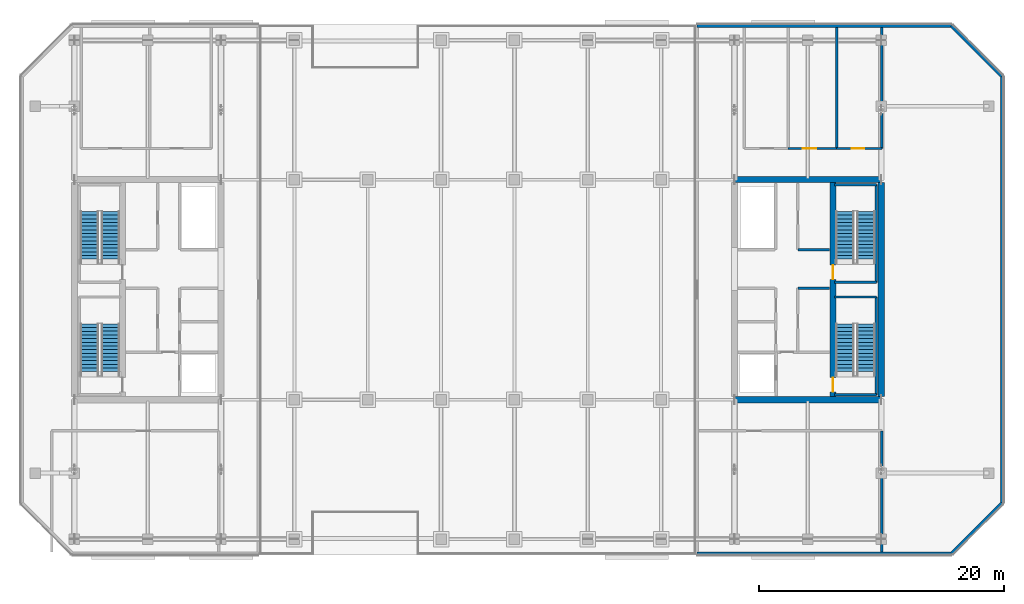
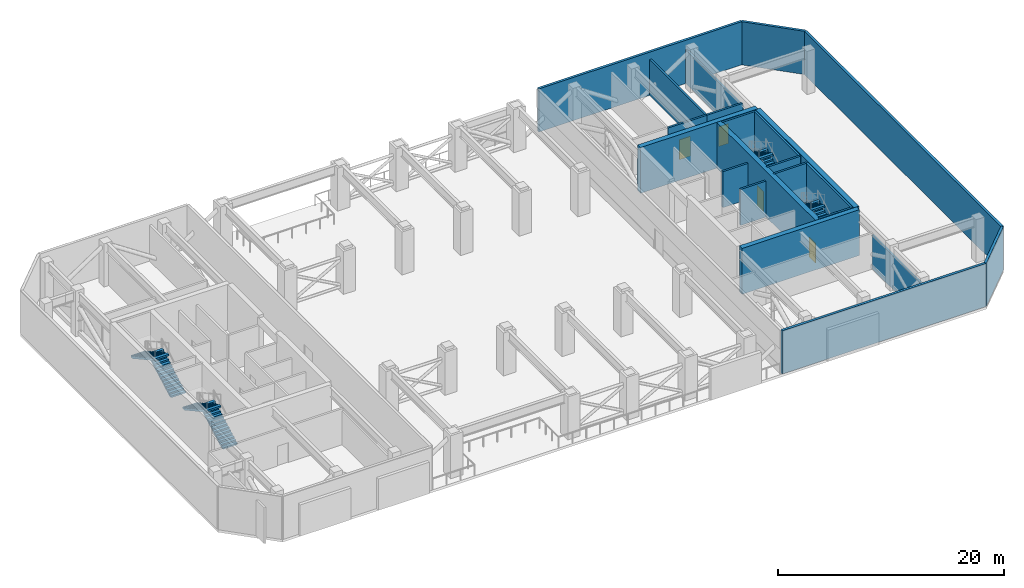
# One storey, part 13 of 18: 22 walls, 8 stair flights, 4 doors, 4 openings, 4 elements without a shape of their own.
"""IFC4 building model written with IfcOpenShell, lengths in metres."""

from ifc_helpers import new_model, si_unit, direction, frame, frame_2d, origin, place, context, subcontext, project, spatial, polyline, rectangle, outline, extrude, material, layer, layer_set, type_object, element, fill, aggregate, save


model = new_model("IFC4")

# Units and contexts
model_context = context("Model", 3, precision=1e-05, world=origin(), true_north=direction((0.0, 1.0)))
body_context = subcontext(model_context, "Body", "Model", "MODEL_VIEW")
ifc_project = project(units=[si_unit("LENGTHUNIT", "METRE"), si_unit("AREAUNIT", "SQUARE_METRE"), si_unit("VOLUMEUNIT", "CUBIC_METRE"), si_unit("PLANEANGLEUNIT", "RADIAN"), si_unit("MASSUNIT", "GRAM", prefix="KILO")], contexts=[model_context])

# Site, building, storey
site_placement = place(None, origin())
site = spatial("IfcSite", under=ifc_project, at=site_placement, CompositionType="ELEMENT")
building_placement = place(site_placement, origin())
building = spatial("IfcBuilding", under=site, at=building_placement, Name="Tanjung Sevakor Pilgrim Tower", CompositionType="ELEMENT")
storey_placement = place(building_placement, frame((0.0, 0.0, 172.919921875)))
storey = spatial("IfcBuildingStorey", under=building, at=storey_placement, Name="L48", CompositionType="ELEMENT", Elevation=172.919921875)

# Walls
ifc_material_1 = material(Name="Concrete C60/75", Category="concrete")
ifc_layer_1 = layer(ifc_material_1, 0.5)
ifc_layer_set_1 = layer_set([ifc_layer_1], Name="WALL-CW-500")
wall_type_1 = type_object("IfcWallType", Name="WALL-CW-500", PredefinedType="SHEAR", material=ifc_layer_set_1)
for number, where, z_axis, x_axis, name in (
    (1, (78.0, 24.60009765625, 0.0), (0.0, 0.0, 1.0), (1.0, 0.0, 0.0), "L48 E Core South Shear Wall"),
    (2, (90.0, 42.60009765625, 0.0), (0.0, 0.0, 1.0), (-1.0, 0.0, 0.0), "L48 E Core North Shear Wall"),
):
    element("IfcWall", number, at=place(storey_placement, frame(where, z_axis=z_axis, x_axis=x_axis)), inside=storey, type_object=wall_type_1, Name=name, PredefinedType="SHEAR", context=body_context, shape_type="SweptSolid", body=[
        extrude(rectangle(XDim=12.0, YDim=0.5, at=frame_2d((6.0, 0.0))), origin(), (0.0, 0.0, 1.0), 4.9501953125),
    ])
wall_1_placement = place(storey_placement, frame((90.0, 24.85009765625, 0.0), z_axis=(0.0, 0.0, 1.0), x_axis=(0.0, 1.0, 0.0)))
element("IfcWall", 3, at=wall_1_placement, inside=storey, type_object=wall_type_1, Name="L48 E Core Outer Shear Wall", PredefinedType="SHEAR", context=body_context, shape_type="SweptSolid", body=[
    extrude(rectangle(XDim=17.5, YDim=0.5, at=frame_2d((8.75, 0.0))), origin(), (0.0, 0.0, 1.0), 4.9501953125),
])

# Wall, openings, doors
wall_2_placement = place(storey_placement, frame((86.050048828125, 24.85009765625, 0.0), z_axis=(0.0, 0.0, 1.0), x_axis=(0.0, 1.0, 0.0)))
wall_2 = element("IfcWall", 4, at=wall_2_placement, inside=storey, type_object=wall_type_1, Name="L48 E Core Stair Spine Wall", PredefinedType="SHEAR", context=body_context, shape_type="SweptSolid", body=[
    extrude(rectangle(XDim=17.5, YDim=0.5, at=frame_2d((8.75, 0.0))), origin(), (0.0, 0.0, 1.0), 4.9501953125),
])
opening_1_placement = place(wall_2_placement, frame((0.39990234375, 0.0, 0.0)))
opening_1 = element("IfcOpeningElement", 5, at=opening_1_placement, cuts=wall_2, Name="Opening ID-ST1", PredefinedType="OPENING", context=body_context, shape_type="SweptSolid", body=[
    extrude(rectangle(XDim=1.14990234375, YDim=2.14990234375, at=frame_2d((0.574951171875, 1.074951171875))), frame((0.0, 0.260009765625, 0.0), z_axis=(0.0, -1.0, 0.0), x_axis=(1.0, 0.0, 0.0)), (0.0, 0.0, 1.0), 0.52001953125),
])
opening_2_placement = place(wall_2_placement, frame((9.60009765625, 0.0, 0.0)))
opening_2 = element("IfcOpeningElement", 6, at=opening_2_placement, cuts=wall_2, Name="Opening ID-ST1", PredefinedType="OPENING", context=body_context, shape_type="SweptSolid", body=[
    extrude(rectangle(XDim=1.14990234375, YDim=2.14990234375, at=frame_2d((0.574951171875, 1.074951171875))), frame((0.0, 0.260009765625, 0.0), z_axis=(0.0, -1.0, 0.0), x_axis=(1.0, 0.0, 0.0)), (0.0, 0.0, 1.0), 0.52001953125),
])
ifc_material_2 = material(Name="Fire-Rated Steel S355J2", Category="steel")
door_type_1 = type_object("IfcDoorType", Name="DT-FIRE-1150", OperationType="NOTDEFINED", PredefinedType="DOOR", material=ifc_material_2)
door_1_placement = place(opening_1_placement, origin())
door_1 = element("IfcDoor", 7, at=door_1_placement, inside=storey, type_object=door_type_1, Name="L48 TS-E1 Stair Fire Door", OperationType="SINGLE_SWING_LEFT", OverallHeight=2.14990234375, OverallWidth=1.14990234375, PredefinedType="DOOR", context=body_context, shape_type="SweptSolid", body=[
    extrude(rectangle(XDim=1.14990234375, YDim=2.14990234375, at=frame_2d((0.574951171875, 1.074951171875))), frame((0.0, 0.02490234375, 0.0), z_axis=(0.0, -1.0, 0.0), x_axis=(1.0, 0.0, 0.0)), (0.0, 0.0, 1.0), 0.050048828125),
])
fill(opening_1, door_1)
door_2_placement = place(opening_2_placement, origin())
door_2 = element("IfcDoor", 8, at=door_2_placement, inside=storey, type_object=door_type_1, Name="L48 TS-E2 Stair Fire Door", OperationType="SINGLE_SWING_RIGHT", OverallHeight=2.14990234375, OverallWidth=1.14990234375, PredefinedType="DOOR", context=body_context, shape_type="SweptSolid", body=[
    extrude(rectangle(XDim=1.14990234375, YDim=2.14990234375, at=frame_2d((0.574951171875, 1.074951171875))), frame((0.0, 0.02490234375, 0.0), z_axis=(0.0, -1.0, 0.0), x_axis=(1.0, 0.0, 0.0)), (0.0, 0.0, 1.0), 0.050048828125),
])
fill(opening_2, door_2)

# Walls
ifc_material_3 = material(Name="Precast concrete C45/55", Category="concrete")
ifc_layer_2 = layer(ifc_material_3, 0.25)
ifc_layer_set_2 = layer_set([ifc_layer_2], Name="WT-EW-STN3")
wall_type_2 = type_object("IfcWallType", Name="WT-EW-STN3", PredefinedType="SOLIDWALL", material=ifc_layer_set_2)
wall_3_placement = place(storey_placement, frame((74.925048828125, 12.02490234375, 0.0), z_axis=(0.0, 0.0, 1.0), x_axis=(1.0, 0.0, 0.0)))
element("IfcWall", 9, at=wall_3_placement, inside=storey, type_object=wall_type_2, Name="L48 East Refuge Wing Wall 1", PredefinedType="SOLIDWALL", context=body_context, shape_type="SweptSolid", body=[
    extrude(rectangle(XDim=20.8232421875, YDim=0.25, at=frame_2d((10.41162109375, 0.0))), origin(), (0.0, 0.0, 1.0), 4.669921875),
])
wall_4_placement = place(storey_placement, frame((95.748291015625, 12.02490234375, 0.0), z_axis=(0.0, 0.0, 1.0), x_axis=(0.70708586489, 0.707127696864, 0.0)))
element("IfcWall", 10, at=wall_4_placement, inside=storey, type_object=wall_type_2, Name="L48 East Refuge Wing Wall 2", PredefinedType="SOLIDWALL", context=body_context, shape_type="SweptSolid", body=[
    extrude(rectangle(XDim=5.836181640625, YDim=0.25, at=frame_2d((2.91796875, 0.0))), origin(), (0.0, 0.0, 1.0), 4.669921875),
])
wall_5_placement = place(storey_placement, frame((99.875, 16.15185546875, 0.0), z_axis=(0.0, 0.0, 1.0), x_axis=(0.0, 1.0, 0.0)))
element("IfcWall", 11, at=wall_5_placement, inside=storey, type_object=wall_type_2, Name="L48 East Refuge Wing Wall 3", PredefinedType="SOLIDWALL", context=body_context, shape_type="SweptSolid", body=[
    extrude(rectangle(XDim=34.896240234375, YDim=0.25, at=frame_2d((17.4482421875, 0.0))), origin(), (0.0, 0.0, 1.0), 4.669921875),
])
wall_6_placement = place(storey_placement, frame((99.875, 51.048095703125, 0.0), z_axis=(0.0, 0.0, 1.0), x_axis=(-0.70708586489, 0.707127696864, 0.0)))
element("IfcWall", 12, at=wall_6_placement, inside=storey, type_object=wall_type_2, Name="L48 East Refuge Wing Wall 4", PredefinedType="SOLIDWALL", context=body_context, shape_type="SweptSolid", body=[
    extrude(rectangle(XDim=5.836181640625, YDim=0.25, at=frame_2d((2.91796875, 0.0))), origin(), (0.0, 0.0, 1.0), 4.669921875),
])
wall_7_placement = place(storey_placement, frame((95.748291015625, 55.175048828125, 0.0), z_axis=(0.0, 0.0, 1.0), x_axis=(-1.0, 0.0, 0.0)))
element("IfcWall", 13, at=wall_7_placement, inside=storey, type_object=wall_type_2, Name="L48 East Refuge Wing Wall 5", PredefinedType="SOLIDWALL", context=body_context, shape_type="SweptSolid", body=[
    extrude(rectangle(XDim=20.8232421875, YDim=0.25, at=frame_2d((10.41162109375, 0.0))), origin(), (0.0, 0.0, 1.0), 4.669921875),
])
ifc_material_4 = material(Name="Concrete C40/50", Category="concrete")
ifc_layer_3 = layer(ifc_material_4, 0.199951171875)
ifc_layer_set_3 = layer_set([ifc_layer_3], Name="WT-FIRE-200")
wall_type_3 = type_object("IfcWallType", Name="WT-FIRE-200", PredefinedType="SOLIDWALL", material=ifc_layer_set_3)
wall_8_placement = place(storey_placement, frame((86.199951171875, 25.0, 0.0), z_axis=(0.0, 0.0, 1.0), x_axis=(1.0, 0.0, 0.0)))
element("IfcWall", 14, at=wall_8_placement, inside=storey, type_object=wall_type_3, Name="L48 TS-E1 Shaft Wall 1", PredefinedType="SOLIDWALL", context=body_context, shape_type="SweptSolid", body=[
    extrude(rectangle(XDim=3.400146484375, YDim=0.199951171875, at=frame_2d((1.7001953125, 0.0))), origin(), (0.0, 0.0, 1.0), 4.9501953125),
])
wall_9_placement = place(storey_placement, frame((89.60009765625, 25.0, 0.0), z_axis=(0.0, 0.0, 1.0), x_axis=(0.0, 1.0, 0.0)))
element("IfcWall", 15, at=wall_9_placement, inside=storey, type_object=wall_type_3, Name="L48 TS-E1 Shaft Wall 2", PredefinedType="SOLIDWALL", context=body_context, shape_type="SweptSolid", body=[
    extrude(rectangle(XDim=8.0, YDim=0.199951171875, at=frame_2d((4.0, 0.0))), origin(), (0.0, 0.0, 1.0), 4.9501953125),
])
for number, where, z_axis, x_axis, name in (
    (16, (89.60009765625, 33.0, 0.0), (0.0, 0.0, 1.0), (-1.0, 0.0, 0.0), "L48 TS-E1 Shaft Wall 3"),
    (17, (86.199951171875, 34.199951171875, 0.0), (0.0, 0.0, 1.0), (1.0, 0.0, 0.0), "L48 TS-E2 Shaft Wall 1"),
):
    element("IfcWall", number, at=place(storey_placement, frame(where, z_axis=z_axis, x_axis=x_axis)), inside=storey, type_object=wall_type_3, Name=name, PredefinedType="SOLIDWALL", context=body_context, shape_type="SweptSolid", body=[
        extrude(rectangle(XDim=3.400146484375, YDim=0.199951171875, at=frame_2d((1.7001953125, 0.0))), origin(), (0.0, 0.0, 1.0), 4.9501953125),
    ])
wall_10_placement = place(storey_placement, frame((89.60009765625, 34.199951171875, 0.0), z_axis=(0.0, 0.0, 1.0), x_axis=(0.0, 1.0, 0.0)))
element("IfcWall", 18, at=wall_10_placement, inside=storey, type_object=wall_type_3, Name="L48 TS-E2 Shaft Wall 2", PredefinedType="SOLIDWALL", context=body_context, shape_type="SweptSolid", body=[
    extrude(rectangle(XDim=8.0, YDim=0.199951171875, at=frame_2d((4.0, 0.0))), origin(), (0.0, 0.0, 1.0), 4.9501953125),
])
wall_11_placement = place(storey_placement, frame((89.60009765625, 42.199951171875, 0.0), z_axis=(0.0, 0.0, 1.0), x_axis=(-1.0, 0.0, 0.0)))
element("IfcWall", 19, at=wall_11_placement, inside=storey, type_object=wall_type_3, Name="L48 TS-E2 Shaft Wall 3", PredefinedType="SOLIDWALL", context=body_context, shape_type="SweptSolid", body=[
    extrude(rectangle(XDim=3.400146484375, YDim=0.199951171875, at=frame_2d((1.7001953125, 0.0))), origin(), (0.0, 0.0, 1.0), 4.9501953125),
])
ifc_material_5 = material(Name="Concrete C40/50", Category="concrete")
ifc_layer_4 = layer(ifc_material_5, 0.199951171875)
ifc_layer_set_4 = layer_set([ifc_layer_4], Name="WT-FPRT-200")
wall_type_4 = type_object("IfcWallType", Name="WT-FPRT-200", PredefinedType="SOLIDWALL", material=ifc_layer_set_4)
for number, where, z_axis, x_axis, name in (
    (20, (83.199951171875, 33.719970703125, 0.0), (0.0, 0.0, 1.0), (1.0, 0.0, 0.0), "L48 Partition IW-L48-014"),
    (21, (83.199951171875, 36.8798828125, 0.0), (0.0, 0.0, 1.0), (1.0, 0.0, 0.0), "L48 Partition IW-L48-019"),
):
    element("IfcWall", number, at=place(storey_placement, frame(where, z_axis=z_axis, x_axis=x_axis)), inside=storey, type_object=wall_type_4, Name=name, PredefinedType="SOLIDWALL", context=body_context, shape_type="SweptSolid", body=[
        extrude(rectangle(XDim=2.580078125, YDim=0.199951171875, at=frame_2d((1.2900390625, 0.0))), origin(), (0.0, 0.0, 1.0), 3.889892578125),
    ])
wall_12_placement = place(storey_placement, frame((90.050048828125, 12.14990234375, 0.0), z_axis=(0.0, 0.0, 1.0), x_axis=(0.0, 1.0, 0.0)))
element("IfcWall", 22, at=wall_12_placement, inside=storey, type_object=wall_type_4, Name="L48 Partition IW-L48-032", PredefinedType="SOLIDWALL", context=body_context, shape_type="SweptSolid", body=[
    extrude(rectangle(XDim=9.900146484375, YDim=0.199951171875, at=frame_2d((4.9501953125, 0.0))), origin(), (0.0, 0.0, 1.0), 3.64697265625),
])

# Wall, opening, door
wall_13_placement = place(storey_placement, frame((82.389892578125, 45.14990234375, 0.0), z_axis=(0.0, 0.0, 1.0), x_axis=(1.0, 0.0, 0.0)))
wall_13 = element("IfcWall", 23, at=wall_13_placement, inside=storey, type_object=wall_type_4, Name="L48 Partition IW-L48-036", PredefinedType="SOLIDWALL", context=body_context, shape_type="SweptSolid", body=[
    extrude(rectangle(XDim=3.960205078125, YDim=0.199951171875, at=frame_2d((1.97998046875, 0.0))), origin(), (0.0, 0.0, 1.0), 3.889892578125),
])
opening_3_placement = place(wall_13_placement, frame((1.199951171875, 0.0, 0.0)))
opening_3 = element("IfcOpeningElement", 24, at=opening_3_placement, cuts=wall_13, Name="Opening ID-FD0", PredefinedType="OPENING", context=body_context, shape_type="SweptSolid", body=[
    extrude(rectangle(XDim=1.10009765625, YDim=2.14990234375, at=frame_2d((0.550048828125, 1.074951171875))), frame((0.0, 0.10986328125, 0.0), z_axis=(0.0, -1.0, 0.0), x_axis=(1.0, 0.0, 0.0)), (0.0, 0.0, 1.0), 0.219970703125),
])
ifc_material_6 = material(Name="Fire-Rated Steel S355J2", Category="steel")
door_type_2 = type_object("IfcDoorType", Name="DT-FIRE-1100", OperationType="NOTDEFINED", PredefinedType="DOOR", material=ifc_material_6)
door_3_placement = place(opening_3_placement, origin())
door_3 = element("IfcDoor", 25, at=door_3_placement, inside=storey, type_object=door_type_2, Name="L48 Chiller Plant Door", OperationType="SINGLE_SWING_LEFT", OverallHeight=2.14990234375, OverallWidth=1.10009765625, PredefinedType="DOOR", context=body_context, shape_type="SweptSolid", body=[
    extrude(rectangle(XDim=1.10009765625, YDim=2.14990234375, at=frame_2d((0.550048828125, 1.074951171875))), frame((0.0, 0.02490234375, 0.0), z_axis=(0.0, -1.0, 0.0), x_axis=(1.0, 0.0, 0.0)), (0.0, 0.0, 1.0), 0.050048828125),
])
fill(opening_3, door_3)

# Wall
wall_14_placement = place(storey_placement, frame((86.35009765625, 45.14990234375, 0.0), z_axis=(0.0, 0.0, 1.0), x_axis=(0.0, 1.0, 0.0)))
element("IfcWall", 26, at=wall_14_placement, inside=storey, type_object=wall_type_4, Name="L48 Partition IW-L48-037", PredefinedType="SOLIDWALL", context=body_context, shape_type="SweptSolid", body=[
    extrude(rectangle(XDim=9.900146484375, YDim=0.199951171875, at=frame_2d((4.9501953125, 0.0))), origin(), (0.0, 0.0, 1.0), 3.889892578125),
])

# Wall, opening, door
wall_15_placement = place(storey_placement, frame((86.35009765625, 45.14990234375, 0.0), z_axis=(0.0, 0.0, 1.0), x_axis=(1.0, 0.0, 0.0)))
wall_15 = element("IfcWall", 27, at=wall_15_placement, inside=storey, type_object=wall_type_4, Name="L48 Partition IW-L48-038", PredefinedType="SOLIDWALL", context=body_context, shape_type="SweptSolid", body=[
    extrude(rectangle(XDim=3.699951171875, YDim=0.199951171875, at=frame_2d((1.85009765625, 0.0))), origin(), (0.0, 0.0, 1.0), 3.889892578125),
])
opening_4_placement = place(wall_15_placement, frame((1.25, 0.0, 0.0)))
opening_4 = element("IfcOpeningElement", 28, at=opening_4_placement, cuts=wall_15, Name="Opening ID-FD1", PredefinedType="OPENING", context=body_context, shape_type="SweptSolid", body=[
    extrude(rectangle(XDim=1.0, YDim=2.14990234375, at=frame_2d((0.5, 1.074951171875))), frame((0.0, 0.10986328125, 0.0), z_axis=(0.0, -1.0, 0.0), x_axis=(1.0, 0.0, 0.0)), (0.0, 0.0, 1.0), 0.219970703125),
])
ifc_material_7 = material(Name="Fire-Rated Steel S355J2", Category="steel")
door_type_3 = type_object("IfcDoorType", Name="DT-FIRE-1000", OperationType="NOTDEFINED", PredefinedType="DOOR", material=ifc_material_7)
door_4_placement = place(opening_4_placement, origin())
door_4 = element("IfcDoor", 29, at=door_4_placement, inside=storey, type_object=door_type_3, Name="L48 East Mechanical Plant Door", OperationType="SINGLE_SWING_RIGHT", OverallHeight=2.14990234375, OverallWidth=1.0, PredefinedType="DOOR", context=body_context, shape_type="SweptSolid", body=[
    extrude(rectangle(XDim=1.0, YDim=2.14990234375, at=frame_2d((0.5, 1.074951171875))), frame((0.0, 0.02490234375, 0.0), z_axis=(0.0, -1.0, 0.0), x_axis=(1.0, 0.0, 0.0)), (0.0, 0.0, 1.0), 0.050048828125),
])
fill(opening_4, door_4)

# Wall
wall_16_placement = place(storey_placement, frame((90.050048828125, 45.14990234375, 0.0), z_axis=(0.0, 0.0, 1.0), x_axis=(0.0, 1.0, 0.0)))
element("IfcWall", 30, at=wall_16_placement, inside=storey, type_object=wall_type_4, Name="L48 Partition IW-L48-039", PredefinedType="SOLIDWALL", context=body_context, shape_type="SweptSolid", body=[
    extrude(rectangle(XDim=9.900146484375, YDim=0.199951171875, at=frame_2d((4.9501953125, 0.0))), origin(), (0.0, 0.0, 1.0), 3.64697265625),
])

# Stair, stair flights
ifc_material_8 = material(Name="Concrete C40/50", Category="concrete")
stair_type = type_object("IfcStairType", Name="STAIR-ST-CR150", PredefinedType="HALF_TURN_STAIR", material=ifc_material_8)
stair_1_placement = place(storey_placement, origin())
stair_1 = element("IfcStair", 31, at=stair_1_placement, inside=storey, type_object=stair_type, Name="L48 West Core Exit Stair 1", PredefinedType="HALF_TURN_STAIR")
ifc_material_9 = material(Name="Concrete C40/50", Category="concrete")
stair_flight_type = type_object("IfcStairFlightType", Name="FLIGHT-ST-CR150", PredefinedType="STRAIGHT", material=ifc_material_9)
stair_flight_1_placement = place(storey_placement, frame((26.949951171875, 26.60009765625, 0.0), z_axis=(0.0, 0.0, 1.0), x_axis=(0.0, 1.0, 0.0)))
stair_flight_1 = element("IfcStairFlight", 32, at=stair_flight_1_placement, type_object=stair_flight_type, Name="TS-W1 flight 1", NumberOfRisers=15, NumberOfTreads=14, PredefinedType="STRAIGHT", RiserHeight=0.165, TreadLength=0.3, context=body_context, shape_type="SweptSolid", body=[
    extrude(outline(polyline([(0.0, 0.0), (0.0, 0.1650390625), (0.300048828125, 0.1650390625), (0.300048828125, 0.330078125), (0.60009765625, 0.330078125), (0.60009765625, 0.4951171875), (0.89990234375, 0.4951171875), (0.89990234375, 0.659912109375), (1.199951171875, 0.659912109375), (1.199951171875, 0.824951171875), (1.5, 0.824951171875), (1.5, 0.989990234375), (1.800048828125, 0.989990234375), (1.800048828125, 1.155029296875), (2.10009765625, 1.155029296875), (2.10009765625, 1.320068359375), (2.39990234375, 1.320068359375), (2.39990234375, 1.485107421875), (2.699951171875, 1.485107421875), (2.699951171875, 1.64990234375), (3.0, 1.64990234375), (3.0, 1.81494140625), (3.300048828125, 1.81494140625), (3.300048828125, 1.97998046875), (3.60009765625, 1.97998046875), (3.60009765625, 2.14501953125), (3.89990234375, 2.14501953125), (3.89990234375, 2.31005859375), (4.199951171875, 2.31005859375), (4.199951171875, 2.47509765625), (4.199951171875, 2.12744140625), (0.331787109375, 0.0), (0.0, 0.0)])), frame((0.0, 0.75, 0.0), z_axis=(0.0, -1.0, 0.0), x_axis=(1.0, 0.0, 0.0)), (0.0, 0.0, 1.0), 1.5),
])
stair_flight_2_placement = place(storey_placement, frame((25.25, 30.800048828125, 2.47509765625), z_axis=(0.0, 0.0, 1.0), x_axis=(0.0, -1.0, 0.0)))
stair_flight_2 = element("IfcStairFlight", 33, at=stair_flight_2_placement, type_object=stair_flight_type, Name="TS-W1 flight 2", NumberOfRisers=15, NumberOfTreads=14, PredefinedType="STRAIGHT", RiserHeight=0.165, TreadLength=0.3, context=body_context, shape_type="SweptSolid", body=[
    extrude(outline(polyline([(0.0, 0.0), (0.0, 0.1650390625), (0.300048828125, 0.1650390625), (0.300048828125, 0.330078125), (0.60009765625, 0.330078125), (0.60009765625, 0.4951171875), (0.89990234375, 0.4951171875), (0.89990234375, 0.659912109375), (1.199951171875, 0.659912109375), (1.199951171875, 0.824951171875), (1.5, 0.824951171875), (1.5, 0.989990234375), (1.800048828125, 0.989990234375), (1.800048828125, 1.155029296875), (2.10009765625, 1.155029296875), (2.10009765625, 1.320068359375), (2.39990234375, 1.320068359375), (2.39990234375, 1.485107421875), (2.699951171875, 1.485107421875), (2.699951171875, 1.64990234375), (3.0, 1.64990234375), (3.0, 1.81494140625), (3.300048828125, 1.81494140625), (3.300048828125, 1.97998046875), (3.60009765625, 1.97998046875), (3.60009765625, 2.14501953125), (3.89990234375, 2.14501953125), (3.89990234375, 2.31005859375), (4.199951171875, 2.31005859375), (4.199951171875, 2.47509765625), (4.199951171875, 2.12744140625), (0.331787109375, 0.0), (0.0, 0.0)])), frame((0.0, 0.75, 0.0), z_axis=(0.0, -1.0, 0.0), x_axis=(1.0, 0.0, 0.0)), (0.0, 0.0, 1.0), 1.5),
])
aggregate(stair_1, [stair_flight_1, stair_flight_2])

stair_2_placement = place(storey_placement, origin())
stair_2 = element("IfcStair", 34, at=stair_2_placement, inside=storey, type_object=stair_type, Name="L48 West Core Exit Stair 2", PredefinedType="HALF_TURN_STAIR")
stair_flight_3_placement = place(storey_placement, frame((26.949951171875, 35.800048828125, 0.0), z_axis=(0.0, 0.0, 1.0), x_axis=(0.0, 1.0, 0.0)))
stair_flight_3 = element("IfcStairFlight", 35, at=stair_flight_3_placement, type_object=stair_flight_type, Name="TS-W2 flight 1", NumberOfRisers=15, NumberOfTreads=14, PredefinedType="STRAIGHT", RiserHeight=0.165, TreadLength=0.3, context=body_context, shape_type="SweptSolid", body=[
    extrude(outline(polyline([(0.0, 0.0), (0.0, 0.1650390625), (0.300048828125, 0.1650390625), (0.300048828125, 0.330078125), (0.60009765625, 0.330078125), (0.60009765625, 0.4951171875), (0.89990234375, 0.4951171875), (0.89990234375, 0.659912109375), (1.199951171875, 0.659912109375), (1.199951171875, 0.824951171875), (1.5, 0.824951171875), (1.5, 0.989990234375), (1.800048828125, 0.989990234375), (1.800048828125, 1.155029296875), (2.10009765625, 1.155029296875), (2.10009765625, 1.320068359375), (2.39990234375, 1.320068359375), (2.39990234375, 1.485107421875), (2.699951171875, 1.485107421875), (2.699951171875, 1.64990234375), (3.0, 1.64990234375), (3.0, 1.81494140625), (3.300048828125, 1.81494140625), (3.300048828125, 1.97998046875), (3.60009765625, 1.97998046875), (3.60009765625, 2.14501953125), (3.89990234375, 2.14501953125), (3.89990234375, 2.31005859375), (4.199951171875, 2.31005859375), (4.199951171875, 2.47509765625), (4.199951171875, 2.12744140625), (0.331787109375, 0.0), (0.0, 0.0)])), frame((0.0, 0.75, 0.0), z_axis=(0.0, -1.0, 0.0), x_axis=(1.0, 0.0, 0.0)), (0.0, 0.0, 1.0), 1.5),
])
stair_flight_4_placement = place(storey_placement, frame((25.25, 40.0, 2.47509765625), z_axis=(0.0, 0.0, 1.0), x_axis=(0.0, -1.0, 0.0)))
stair_flight_4 = element("IfcStairFlight", 36, at=stair_flight_4_placement, type_object=stair_flight_type, Name="TS-W2 flight 2", NumberOfRisers=15, NumberOfTreads=14, PredefinedType="STRAIGHT", RiserHeight=0.165, TreadLength=0.3, context=body_context, shape_type="SweptSolid", body=[
    extrude(outline(polyline([(0.0, 0.0), (0.0, 0.1650390625), (0.300048828125, 0.1650390625), (0.300048828125, 0.330078125), (0.60009765625, 0.330078125), (0.60009765625, 0.4951171875), (0.89990234375, 0.4951171875), (0.89990234375, 0.659912109375), (1.199951171875, 0.659912109375), (1.199951171875, 0.824951171875), (1.5, 0.824951171875), (1.5, 0.989990234375), (1.800048828125, 0.989990234375), (1.800048828125, 1.155029296875), (2.10009765625, 1.155029296875), (2.10009765625, 1.320068359375), (2.39990234375, 1.320068359375), (2.39990234375, 1.485107421875), (2.699951171875, 1.485107421875), (2.699951171875, 1.64990234375), (3.0, 1.64990234375), (3.0, 1.81494140625), (3.300048828125, 1.81494140625), (3.300048828125, 1.97998046875), (3.60009765625, 1.97998046875), (3.60009765625, 2.14501953125), (3.89990234375, 2.14501953125), (3.89990234375, 2.31005859375), (4.199951171875, 2.31005859375), (4.199951171875, 2.47509765625), (4.199951171875, 2.12744140625), (0.331787109375, 0.0), (0.0, 0.0)])), frame((0.0, 0.75, 0.0), z_axis=(0.0, -1.0, 0.0), x_axis=(1.0, 0.0, 0.0)), (0.0, 0.0, 1.0), 1.5),
])
aggregate(stair_2, [stair_flight_3, stair_flight_4])

stair_3_placement = place(storey_placement, origin())
stair_3 = element("IfcStair", 37, at=stair_3_placement, inside=storey, type_object=stair_type, Name="L48 East Core Exit Stair 1", PredefinedType="HALF_TURN_STAIR")
stair_flight_5_placement = place(storey_placement, frame((88.75, 26.60009765625, 0.0), z_axis=(0.0, 0.0, 1.0), x_axis=(0.0, 1.0, 0.0)))
stair_flight_5 = element("IfcStairFlight", 38, at=stair_flight_5_placement, type_object=stair_flight_type, Name="TS-E1 flight 1", NumberOfRisers=15, NumberOfTreads=14, PredefinedType="STRAIGHT", RiserHeight=0.165, TreadLength=0.3, context=body_context, shape_type="SweptSolid", body=[
    extrude(outline(polyline([(0.0, 0.0), (0.0, 0.1650390625), (0.300048828125, 0.1650390625), (0.300048828125, 0.330078125), (0.60009765625, 0.330078125), (0.60009765625, 0.4951171875), (0.89990234375, 0.4951171875), (0.89990234375, 0.659912109375), (1.199951171875, 0.659912109375), (1.199951171875, 0.824951171875), (1.5, 0.824951171875), (1.5, 0.989990234375), (1.800048828125, 0.989990234375), (1.800048828125, 1.155029296875), (2.10009765625, 1.155029296875), (2.10009765625, 1.320068359375), (2.39990234375, 1.320068359375), (2.39990234375, 1.485107421875), (2.699951171875, 1.485107421875), (2.699951171875, 1.64990234375), (3.0, 1.64990234375), (3.0, 1.81494140625), (3.300048828125, 1.81494140625), (3.300048828125, 1.97998046875), (3.60009765625, 1.97998046875), (3.60009765625, 2.14501953125), (3.89990234375, 2.14501953125), (3.89990234375, 2.31005859375), (4.199951171875, 2.31005859375), (4.199951171875, 2.47509765625), (4.199951171875, 2.12744140625), (0.331787109375, 0.0), (0.0, 0.0)])), frame((0.0, 0.75, 0.0), z_axis=(0.0, -1.0, 0.0), x_axis=(1.0, 0.0, 0.0)), (0.0, 0.0, 1.0), 1.5),
])
stair_flight_6_placement = place(storey_placement, frame((87.050048828125, 30.800048828125, 2.47509765625), z_axis=(0.0, 0.0, 1.0), x_axis=(0.0, -1.0, 0.0)))
stair_flight_6 = element("IfcStairFlight", 39, at=stair_flight_6_placement, type_object=stair_flight_type, Name="TS-E1 flight 2", NumberOfRisers=15, NumberOfTreads=14, PredefinedType="STRAIGHT", RiserHeight=0.165, TreadLength=0.3, context=body_context, shape_type="SweptSolid", body=[
    extrude(outline(polyline([(0.0, 0.0), (0.0, 0.1650390625), (0.300048828125, 0.1650390625), (0.300048828125, 0.330078125), (0.60009765625, 0.330078125), (0.60009765625, 0.4951171875), (0.89990234375, 0.4951171875), (0.89990234375, 0.659912109375), (1.199951171875, 0.659912109375), (1.199951171875, 0.824951171875), (1.5, 0.824951171875), (1.5, 0.989990234375), (1.800048828125, 0.989990234375), (1.800048828125, 1.155029296875), (2.10009765625, 1.155029296875), (2.10009765625, 1.320068359375), (2.39990234375, 1.320068359375), (2.39990234375, 1.485107421875), (2.699951171875, 1.485107421875), (2.699951171875, 1.64990234375), (3.0, 1.64990234375), (3.0, 1.81494140625), (3.300048828125, 1.81494140625), (3.300048828125, 1.97998046875), (3.60009765625, 1.97998046875), (3.60009765625, 2.14501953125), (3.89990234375, 2.14501953125), (3.89990234375, 2.31005859375), (4.199951171875, 2.31005859375), (4.199951171875, 2.47509765625), (4.199951171875, 2.12744140625), (0.331787109375, 0.0), (0.0, 0.0)])), frame((0.0, 0.75, 0.0), z_axis=(0.0, -1.0, 0.0), x_axis=(1.0, 0.0, 0.0)), (0.0, 0.0, 1.0), 1.5),
])
aggregate(stair_3, [stair_flight_5, stair_flight_6])

stair_4_placement = place(storey_placement, origin())
stair_4 = element("IfcStair", 40, at=stair_4_placement, inside=storey, type_object=stair_type, Name="L48 East Core Exit Stair 2", PredefinedType="HALF_TURN_STAIR")
stair_flight_7_placement = place(storey_placement, frame((88.75, 35.800048828125, 0.0), z_axis=(0.0, 0.0, 1.0), x_axis=(0.0, 1.0, 0.0)))
stair_flight_7 = element("IfcStairFlight", 41, at=stair_flight_7_placement, type_object=stair_flight_type, Name="TS-E2 flight 1", NumberOfRisers=15, NumberOfTreads=14, PredefinedType="STRAIGHT", RiserHeight=0.165, TreadLength=0.3, context=body_context, shape_type="SweptSolid", body=[
    extrude(outline(polyline([(0.0, 0.0), (0.0, 0.1650390625), (0.300048828125, 0.1650390625), (0.300048828125, 0.330078125), (0.60009765625, 0.330078125), (0.60009765625, 0.4951171875), (0.89990234375, 0.4951171875), (0.89990234375, 0.659912109375), (1.199951171875, 0.659912109375), (1.199951171875, 0.824951171875), (1.5, 0.824951171875), (1.5, 0.989990234375), (1.800048828125, 0.989990234375), (1.800048828125, 1.155029296875), (2.10009765625, 1.155029296875), (2.10009765625, 1.320068359375), (2.39990234375, 1.320068359375), (2.39990234375, 1.485107421875), (2.699951171875, 1.485107421875), (2.699951171875, 1.64990234375), (3.0, 1.64990234375), (3.0, 1.81494140625), (3.300048828125, 1.81494140625), (3.300048828125, 1.97998046875), (3.60009765625, 1.97998046875), (3.60009765625, 2.14501953125), (3.89990234375, 2.14501953125), (3.89990234375, 2.31005859375), (4.199951171875, 2.31005859375), (4.199951171875, 2.47509765625), (4.199951171875, 2.12744140625), (0.331787109375, 0.0), (0.0, 0.0)])), frame((0.0, 0.75, 0.0), z_axis=(0.0, -1.0, 0.0), x_axis=(1.0, 0.0, 0.0)), (0.0, 0.0, 1.0), 1.5),
])
stair_flight_8_placement = place(storey_placement, frame((87.050048828125, 40.0, 2.47509765625), z_axis=(0.0, 0.0, 1.0), x_axis=(0.0, -1.0, 0.0)))
stair_flight_8 = element("IfcStairFlight", 42, at=stair_flight_8_placement, type_object=stair_flight_type, Name="TS-E2 flight 2", NumberOfRisers=15, NumberOfTreads=14, PredefinedType="STRAIGHT", RiserHeight=0.165, TreadLength=0.3, context=body_context, shape_type="SweptSolid", body=[
    extrude(outline(polyline([(0.0, 0.0), (0.0, 0.1650390625), (0.300048828125, 0.1650390625), (0.300048828125, 0.330078125), (0.60009765625, 0.330078125), (0.60009765625, 0.4951171875), (0.89990234375, 0.4951171875), (0.89990234375, 0.659912109375), (1.199951171875, 0.659912109375), (1.199951171875, 0.824951171875), (1.5, 0.824951171875), (1.5, 0.989990234375), (1.800048828125, 0.989990234375), (1.800048828125, 1.155029296875), (2.10009765625, 1.155029296875), (2.10009765625, 1.320068359375), (2.39990234375, 1.320068359375), (2.39990234375, 1.485107421875), (2.699951171875, 1.485107421875), (2.699951171875, 1.64990234375), (3.0, 1.64990234375), (3.0, 1.81494140625), (3.300048828125, 1.81494140625), (3.300048828125, 1.97998046875), (3.60009765625, 1.97998046875), (3.60009765625, 2.14501953125), (3.89990234375, 2.14501953125), (3.89990234375, 2.31005859375), (4.199951171875, 2.31005859375), (4.199951171875, 2.47509765625), (4.199951171875, 2.12744140625), (0.331787109375, 0.0), (0.0, 0.0)])), frame((0.0, 0.75, 0.0), z_axis=(0.0, -1.0, 0.0), x_axis=(1.0, 0.0, 0.0)), (0.0, 0.0, 1.0), 1.5),
])
aggregate(stair_4, [stair_flight_7, stair_flight_8])

save(model, "model.ifc")
